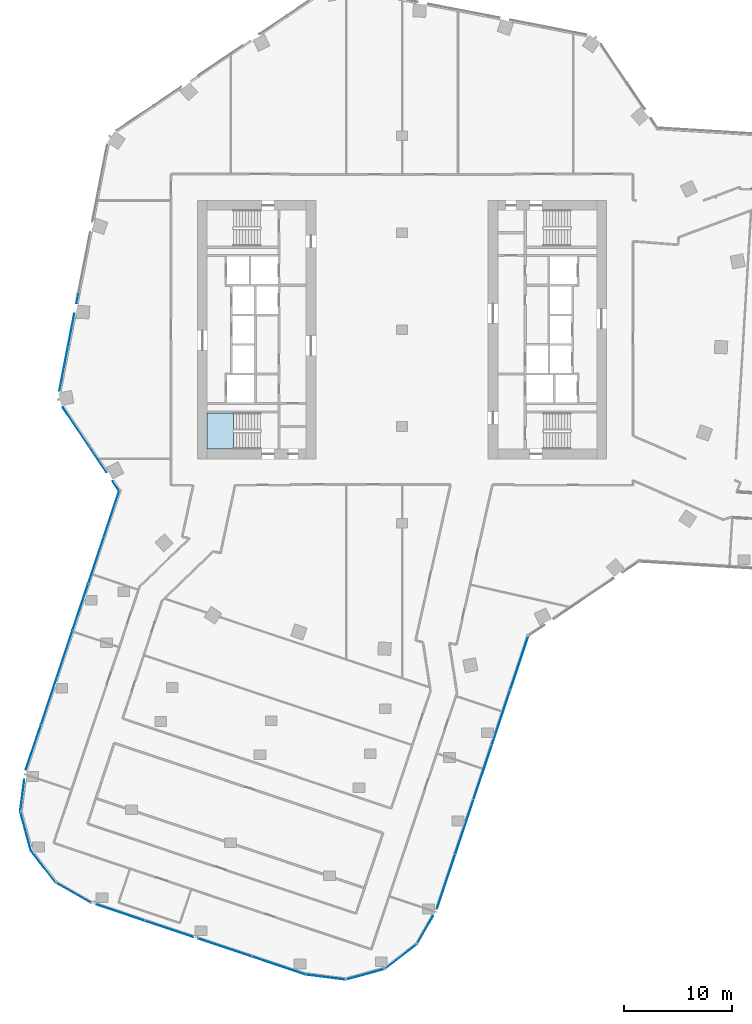
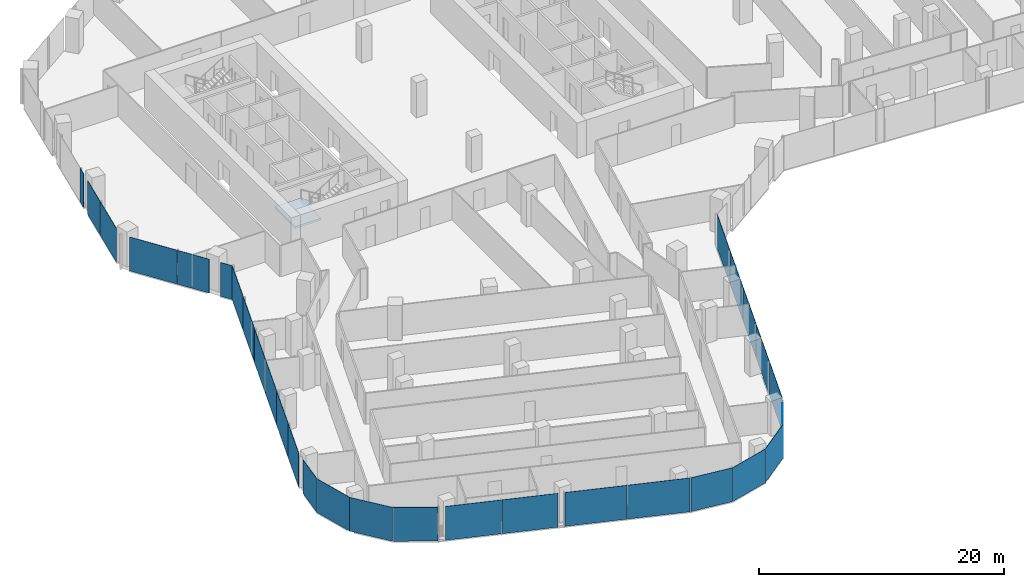
# One storey, part 18 of 32: 29 plates, 1 slab, 14 elements without a shape of their own.
"""IFC4 building model written with IfcOpenShell, lengths in metres."""

from ifc_helpers import new_model, si_unit, direction, frame, origin, origin_2d, place, context, subcontext, project, spatial, polyline, rectangle, outline, extrude, material, layer, layer_set, type_object, element, aggregate, save


model = new_model("IFC4")

# Units and contexts
model_context = context("Model", 3, precision=1e-05, world=origin(), true_north=direction((0.0, 1.0)))
body_context = subcontext(model_context, "Body", "Model", "MODEL_VIEW")
ifc_project = project(units=[si_unit("LENGTHUNIT", "METRE"), si_unit("AREAUNIT", "SQUARE_METRE"), si_unit("VOLUMEUNIT", "CUBIC_METRE"), si_unit("PLANEANGLEUNIT", "RADIAN"), si_unit("MASSUNIT", "GRAM", prefix="KILO")], contexts=[model_context])

# Site, building, storey
site_placement = place(None, origin())
site = spatial("IfcSite", under=ifc_project, at=site_placement, CompositionType="ELEMENT")
building_placement = place(site_placement, origin())
building = spatial("IfcBuilding", under=site, at=building_placement, Name="Orlundy Tower", CompositionType="ELEMENT")
storey_placement = place(building_placement, frame((0.0, 0.0, 149.10009765625)))
storey = spatial("IfcBuildingStorey", under=building, at=storey_placement, Name="L38", CompositionType="ELEMENT", Elevation=149.10009765625)

# Curtain wall, plates
ifc_material_1 = material(Name="Aluminium bronze anodised", Category="aluminium")
curtain_wall_type = type_object("IfcCurtainWallType", Name="CW1 wall", PredefinedType="NOTDEFINED", material=ifc_material_1)
curtain_wall_1_placement = place(storey_placement, origin())
curtain_wall_1 = element("IfcCurtainWall", 1, at=curtain_wall_1_placement, inside=storey, type_object=curtain_wall_type, Name="CW1 run 02", PredefinedType="NOTDEFINED")
ifc_material_2 = material(Name="Tinted glass", Category="glass")
ifc_layer_1 = layer(ifc_material_2, 0.031982421875)
ifc_layer_set_1 = layer_set([ifc_layer_1], Name="CW1 glass panel 32")
plate_type = type_object("IfcPlateType", Name="CW1 glass panel 32", PredefinedType="CURTAIN_PANEL", material=ifc_layer_set_1)
plate_1_placement = place(storey_placement, frame((10.90087890625, -30.968505859375, -0.280029296875), z_axis=(0.0, 0.0, 1.0), x_axis=(-0.317314020344, -0.948320522025, 0.0)))
plate_1 = element("IfcPlate", 2, at=plate_1_placement, type_object=plate_type, Name="CW1 panel", PredefinedType="CURTAIN_PANEL", context=body_context, shape_type="SweptSolid", body=[
    extrude(rectangle(XDim=5.276123046875, YDim=0.031982421875, at=origin_2d()), origin(), (0.0, 0.0, 1.0), 3.3798828125),
])
plate_2_placement = place(storey_placement, frame((9.205810546875, -36.033935546875, -0.280029296875), z_axis=(0.0, 0.0, 1.0), x_axis=(-0.317314020344, -0.948320522025, 0.0)))
plate_2 = element("IfcPlate", 3, at=plate_2_placement, type_object=plate_type, Name="CW1 panel", PredefinedType="CURTAIN_PANEL", context=body_context, shape_type="SweptSolid", body=[
    extrude(rectangle(XDim=5.306884765625, YDim=0.031982421875, at=origin_2d()), origin(), (0.0, 0.0, 1.0), 3.3798828125),
])
plate_3_placement = place(storey_placement, frame((7.506103515625, -41.114013671875, -0.280029296875), z_axis=(0.0, 0.0, 1.0), x_axis=(-0.317314020344, -0.948320522025, 0.0)))
plate_3 = element("IfcPlate", 4, at=plate_3_placement, type_object=plate_type, Name="CW1 panel", PredefinedType="CURTAIN_PANEL", context=body_context, shape_type="SweptSolid", body=[
    extrude(rectangle(XDim=5.306884765625, YDim=0.031982421875, at=origin_2d()), origin(), (0.0, 0.0, 1.0), 3.3798828125),
])
plate_4_placement = place(storey_placement, frame((5.80615234375, -46.194091796875, -0.280029296875), z_axis=(0.0, 0.0, 1.0), x_axis=(-0.317314020344, -0.948320522025, 0.0)))
plate_4 = element("IfcPlate", 5, at=plate_4_placement, type_object=plate_type, Name="CW1 panel", PredefinedType="CURTAIN_PANEL", context=body_context, shape_type="SweptSolid", body=[
    extrude(rectangle(XDim=5.306884765625, YDim=0.031982421875, at=origin_2d()), origin(), (0.0, 0.0, 1.0), 3.3798828125),
])
plate_5_placement = place(storey_placement, frame((4.10400390625, -51.28173828125, -0.280029296875), z_axis=(0.0, 0.0, 1.0), x_axis=(-0.317314020344, -0.948320522025, 0.0)))
plate_5 = element("IfcPlate", 6, at=plate_5_placement, type_object=plate_type, Name="CW1 panel", PredefinedType="CURTAIN_PANEL", context=body_context, shape_type="SweptSolid", body=[
    extrude(rectangle(XDim=5.32275390625, YDim=0.031982421875, at=origin_2d()), origin(), (0.0, 0.0, 1.0), 3.3798828125),
])
aggregate(curtain_wall_1, [plate_1, plate_2, plate_3, plate_4, plate_5])

# Curtain wall, plate
curtain_wall_2_placement = place(storey_placement, origin())
curtain_wall_2 = element("IfcCurtainWall", 7, at=curtain_wall_2_placement, inside=storey, type_object=curtain_wall_type, Name="CW1 run 03", PredefinedType="NOTDEFINED")
plate_6_placement = place(storey_placement, frame((2.135986328125, -55.78125, -0.280029296875), z_axis=(0.0, 0.0, 1.0), x_axis=(-0.496167993802, -0.868226538368, 0.0)))
plate_6 = element("IfcPlate", 8, at=plate_6_placement, type_object=plate_type, Name="CW1 panel", PredefinedType="CURTAIN_PANEL", context=body_context, shape_type="SweptSolid", body=[
    extrude(rectangle(XDim=3.013916015625, YDim=0.031982421875, at=origin_2d()), origin(), (0.0, 0.0, 1.0), 3.3798828125),
])
aggregate(curtain_wall_2, [plate_6])

curtain_wall_3_placement = place(storey_placement, origin())
curtain_wall_3 = element("IfcCurtainWall", 9, at=curtain_wall_3_placement, inside=storey, type_object=curtain_wall_type, Name="CW1 run 04", PredefinedType="NOTDEFINED")
plate_7_placement = place(storey_placement, frame((-0.10302734375, -58.24462890625, -0.280029296875), z_axis=(0.0, 0.0, 1.0), x_axis=(-0.790614183516, -0.61231463548, 0.0)))
plate_7 = element("IfcPlate", 10, at=plate_7_placement, type_object=plate_type, Name="CW1 panel", PredefinedType="CURTAIN_PANEL", context=body_context, shape_type="SweptSolid", body=[
    extrude(rectangle(XDim=3.7724609375, YDim=0.031982421875, at=origin_2d()), origin(), (0.0, 0.0, 1.0), 3.3798828125),
])
aggregate(curtain_wall_3, [plate_7])

curtain_wall_4_placement = place(storey_placement, origin())
curtain_wall_4 = element("IfcCurtainWall", 11, at=curtain_wall_4_placement, inside=storey, type_object=curtain_wall_type, Name="CW1 run 05", PredefinedType="NOTDEFINED")
plate_8_placement = place(storey_placement, frame((-3.413818359375, -59.895751953125, -0.280029296875), z_axis=(0.0, 0.0, 1.0), x_axis=(-0.964782496835, -0.263048919026, 0.0)))
plate_8 = element("IfcPlate", 12, at=plate_8_placement, type_object=plate_type, Name="CW1 panel", PredefinedType="CURTAIN_PANEL", context=body_context, shape_type="SweptSolid", body=[
    extrude(rectangle(XDim=3.771728515625, YDim=0.031982421875, at=origin_2d()), origin(), (0.0, 0.0, 1.0), 3.3798828125),
])
aggregate(curtain_wall_4, [plate_8])

curtain_wall_5_placement = place(storey_placement, origin())
curtain_wall_5 = element("IfcCurtainWall", 13, at=curtain_wall_5_placement, inside=storey, type_object=curtain_wall_type, Name="CW1 run 06", PredefinedType="NOTDEFINED")
plate_9_placement = place(storey_placement, frame((-7.08349609375, -60.15625, -0.280029296875), z_axis=(0.0, 0.0, 1.0), x_axis=(-0.99199729737, 0.126259106648, 0.0)))
plate_9 = element("IfcPlate", 14, at=plate_9_placement, type_object=plate_type, Name="CW1 panel", PredefinedType="CURTAIN_PANEL", context=body_context, shape_type="SweptSolid", body=[
    extrude(rectangle(XDim=3.730224609375, YDim=0.031982421875, at=origin_2d()), origin(), (0.0, 0.0, 1.0), 3.3798828125),
])
aggregate(curtain_wall_5, [plate_9])

# Curtain wall, plates
curtain_wall_6_placement = place(storey_placement, origin())
curtain_wall_6 = element("IfcCurtainWall", 15, at=curtain_wall_6_placement, inside=storey, type_object=curtain_wall_type, Name="CW1 run 07", PredefinedType="NOTDEFINED")
plate_10_placement = place(storey_placement, frame((-11.455810546875, -59.082275390625, -0.280029296875), z_axis=(0.0, 0.0, 1.0), x_axis=(-0.948330329219, 0.317284709186, 0.0)))
plate_10 = element("IfcPlate", 16, at=plate_10_placement, type_object=plate_type, Name="CW1 panel", PredefinedType="CURTAIN_PANEL", context=body_context, shape_type="SweptSolid", body=[
    extrude(rectangle(XDim=5.216064453125, YDim=0.031982421875, at=origin_2d()), origin(), (0.0, 0.0, 1.0), 3.3798828125),
])
plate_11_placement = place(storey_placement, frame((-16.442138671875, -57.413818359375, -0.280029296875), z_axis=(0.0, 0.0, 1.0), x_axis=(-0.948330329219, 0.317284709186, 0.0)))
plate_11 = element("IfcPlate", 17, at=plate_11_placement, type_object=plate_type, Name="CW1 panel", PredefinedType="CURTAIN_PANEL", context=body_context, shape_type="SweptSolid", body=[
    extrude(rectangle(XDim=5.199951171875, YDim=0.031982421875, at=origin_2d()), origin(), (0.0, 0.0, 1.0), 3.3798828125),
])
plate_12_placement = place(storey_placement, frame((-21.662841796875, -55.667236328125, -0.280029296875), z_axis=(0.0, 0.0, 1.0), x_axis=(-0.948330329219, 0.317284709186, 0.0)))
plate_12 = element("IfcPlate", 18, at=plate_12_placement, type_object=plate_type, Name="CW1 panel", PredefinedType="CURTAIN_PANEL", context=body_context, shape_type="SweptSolid", body=[
    extrude(rectangle(XDim=4.68994140625, YDim=0.031982421875, at=origin_2d()), origin(), (0.0, 0.0, 1.0), 3.3798828125),
])
plate_13_placement = place(storey_placement, frame((-26.144775390625, -54.167724609375, -0.280029296875), z_axis=(0.0, 0.0, 1.0), x_axis=(-0.948330329219, 0.317284709186, 0.0)))
plate_13 = element("IfcPlate", 19, at=plate_13_placement, type_object=plate_type, Name="CW1 panel", PredefinedType="CURTAIN_PANEL", context=body_context, shape_type="SweptSolid", body=[
    extrude(rectangle(XDim=4.66259765625, YDim=0.031982421875, at=origin_2d()), origin(), (0.0, 0.0, 1.0), 3.3798828125),
])
aggregate(curtain_wall_6, [plate_10, plate_11, plate_12, plate_13])

# Curtain wall, plate
curtain_wall_7_placement = place(storey_placement, origin())
curtain_wall_7 = element("IfcCurtainWall", 20, at=curtain_wall_7_placement, inside=storey, type_object=curtain_wall_type, Name="CW1 run 08", PredefinedType="NOTDEFINED")
plate_14_placement = place(storey_placement, frame((-30.54541015625, -52.30615234375, -0.280029296875), z_axis=(0.0, 0.0, 1.0), x_axis=(-0.868110302636, 0.496371335249, 0.0)))
plate_14 = element("IfcPlate", 21, at=plate_14_placement, type_object=plate_type, Name="CW1 panel", PredefinedType="CURTAIN_PANEL", context=body_context, shape_type="SweptSolid", body=[
    extrude(rectangle(XDim=3.73046875, YDim=0.031982421875, at=origin_2d()), origin(), (0.0, 0.0, 1.0), 3.3798828125),
])
aggregate(curtain_wall_7, [plate_14])

curtain_wall_8_placement = place(storey_placement, origin())
curtain_wall_8 = element("IfcCurtainWall", 22, at=curtain_wall_8_placement, inside=storey, type_object=curtain_wall_type, Name="CW1 run 09", PredefinedType="NOTDEFINED")
plate_15_placement = place(storey_placement, frame((-33.319580078125, -49.888916015625, -0.280029296875), z_axis=(0.0, 0.0, 1.0), x_axis=(-0.61231463548, 0.790614183516, 0.0)))
plate_15 = element("IfcPlate", 23, at=plate_15_placement, type_object=plate_type, Name="CW1 panel", PredefinedType="CURTAIN_PANEL", context=body_context, shape_type="SweptSolid", body=[
    extrude(rectangle(XDim=3.7724609375, YDim=0.031982421875, at=origin_2d()), origin(), (0.0, 0.0, 1.0), 3.3798828125),
])
aggregate(curtain_wall_8, [plate_15])

curtain_wall_9_placement = place(storey_placement, origin())
curtain_wall_9 = element("IfcCurtainWall", 24, at=curtain_wall_9_placement, inside=storey, type_object=curtain_wall_type, Name="CW1 run 010", PredefinedType="NOTDEFINED")
plate_16_placement = place(storey_placement, frame((-34.97021484375, -46.578125, -0.280029296875), z_axis=(0.0, 0.0, 1.0), x_axis=(-0.262797766834, 0.964850938616, 0.0)))
plate_16 = element("IfcPlate", 25, at=plate_16_placement, type_object=plate_type, Name="CW1 panel", PredefinedType="CURTAIN_PANEL", context=body_context, shape_type="SweptSolid", body=[
    extrude(rectangle(XDim=3.771484375, YDim=0.031982421875, at=origin_2d()), origin(), (0.0, 0.0, 1.0), 3.3798828125),
])
aggregate(curtain_wall_9, [plate_16])

curtain_wall_10_placement = place(storey_placement, origin())
curtain_wall_10 = element("IfcCurtainWall", 26, at=curtain_wall_10_placement, inside=storey, type_object=curtain_wall_type, Name="CW1 run 011", PredefinedType="NOTDEFINED")
plate_17_placement = place(storey_placement, frame((-35.27978515625, -43.294921875, -0.280029296875), z_axis=(0.0, 0.0, 1.0), x_axis=(0.125993609416, 0.992031053136, 0.0)))
plate_17 = element("IfcPlate", 27, at=plate_17_placement, type_object=plate_type, Name="CW1 panel", PredefinedType="CURTAIN_PANEL", context=body_context, shape_type="SweptSolid", body=[
    extrude(rectangle(XDim=2.950927734375, YDim=0.031982421875, at=origin_2d()), origin(), (0.0, 0.0, 1.0), 3.3798828125),
])
aggregate(curtain_wall_10, [plate_17])

# Curtain wall, plates
curtain_wall_11_placement = place(storey_placement, origin())
curtain_wall_11 = element("IfcCurtainWall", 28, at=curtain_wall_11_placement, inside=storey, type_object=curtain_wall_type, Name="CW1 run 012", PredefinedType="NOTDEFINED")
plate_18_placement = place(storey_placement, frame((-34.23779296875, -38.777587890625, -0.280029296875), z_axis=(0.0, 0.0, 1.0), x_axis=(0.317295386712, 0.948326756752, 0.0)))
plate_18 = element("IfcPlate", 29, at=plate_18_placement, type_object=plate_type, Name="CW1 panel", PredefinedType="CURTAIN_PANEL", context=body_context, shape_type="SweptSolid", body=[
    extrude(rectangle(XDim=4.402587890625, YDim=0.031982421875, at=origin_2d()), origin(), (0.0, 0.0, 1.0), 3.3798828125),
])
plate_19_placement = place(storey_placement, frame((-32.803466796875, -34.490478515625, -0.280029296875), z_axis=(0.0, 0.0, 1.0), x_axis=(0.317295386712, 0.948326756752, 0.0)))
plate_19 = element("IfcPlate", 30, at=plate_19_placement, type_object=plate_type, Name="CW1 panel", PredefinedType="CURTAIN_PANEL", context=body_context, shape_type="SweptSolid", body=[
    extrude(rectangle(XDim=4.538818359375, YDim=0.031982421875, at=origin_2d()), origin(), (0.0, 0.0, 1.0), 3.3798828125),
])
plate_20_placement = place(storey_placement, frame((-31.347412109375, -30.138916015625, -0.280029296875), z_axis=(0.0, 0.0, 1.0), x_axis=(0.317295386712, 0.948326756752, 0.0)))
plate_20 = element("IfcPlate", 31, at=plate_20_placement, type_object=plate_type, Name="CW1 panel", PredefinedType="CURTAIN_PANEL", context=body_context, shape_type="SweptSolid", body=[
    extrude(rectangle(XDim=4.538818359375, YDim=0.031982421875, at=origin_2d()), origin(), (0.0, 0.0, 1.0), 3.3798828125),
])
plate_21_placement = place(storey_placement, frame((-29.8916015625, -25.787109375, -0.280029296875), z_axis=(0.0, 0.0, 1.0), x_axis=(0.317295386712, 0.948326756752, 0.0)))
plate_21 = element("IfcPlate", 32, at=plate_21_placement, type_object=plate_type, Name="CW1 panel", PredefinedType="CURTAIN_PANEL", context=body_context, shape_type="SweptSolid", body=[
    extrude(rectangle(XDim=4.538818359375, YDim=0.031982421875, at=origin_2d()), origin(), (0.0, 0.0, 1.0), 3.3798828125),
])
plate_22_placement = place(storey_placement, frame((-28.435546875, -21.435546875, -0.280029296875), z_axis=(0.0, 0.0, 1.0), x_axis=(0.317295386712, 0.948326756752, 0.0)))
plate_22 = element("IfcPlate", 33, at=plate_22_placement, type_object=plate_type, Name="CW1 panel", PredefinedType="CURTAIN_PANEL", context=body_context, shape_type="SweptSolid", body=[
    extrude(rectangle(XDim=4.538818359375, YDim=0.031982421875, at=origin_2d()), origin(), (0.0, 0.0, 1.0), 3.3798828125),
])
plate_23_placement = place(storey_placement, frame((-26.98828125, -17.1103515625, -0.280029296875), z_axis=(0.0, 0.0, 1.0), x_axis=(0.317295386712, 0.948326756752, 0.0)))
plate_23 = element("IfcPlate", 34, at=plate_23_placement, type_object=plate_type, Name="CW1 panel", PredefinedType="CURTAIN_PANEL", context=body_context, shape_type="SweptSolid", body=[
    extrude(rectangle(XDim=4.48291015625, YDim=0.031982421875, at=origin_2d()), origin(), (0.0, 0.0, 1.0), 3.3798828125),
])
aggregate(curtain_wall_11, [plate_18, plate_19, plate_20, plate_21, plate_22, plate_23])

curtain_wall_12_placement = place(storey_placement, origin())
curtain_wall_12 = element("IfcCurtainWall", 35, at=curtain_wall_12_placement, inside=storey, type_object=curtain_wall_type, Name="CW1 run 013", PredefinedType="NOTDEFINED")
plate_24_placement = place(storey_placement, frame((-26.580810546875, -14.534423828125, -0.280029296875), z_axis=(0.0, 0.0, 1.0), x_axis=(-0.559201009656, 0.829032104807, 0.0)))
plate_24 = element("IfcPlate", 36, at=plate_24_placement, type_object=plate_type, Name="CW1 panel", PredefinedType="CURTAIN_PANEL", context=body_context, shape_type="SweptSolid", body=[
    extrude(rectangle(XDim=1.086181640625, YDim=0.031982421875, at=origin_2d()), origin(), (0.0, 0.0, 1.0), 3.3798828125),
])
plate_25_placement = place(storey_placement, frame((-28.267333984375, -12.0341796875, -0.280029296875), z_axis=(0.0, 0.0, 1.0), x_axis=(-0.559201009656, 0.829032104807, 0.0)))
plate_25 = element("IfcPlate", 37, at=plate_25_placement, type_object=plate_type, Name="CW1 panel", PredefinedType="CURTAIN_PANEL", context=body_context, shape_type="SweptSolid", body=[
    extrude(rectangle(XDim=2.906494140625, YDim=0.031982421875, at=origin_2d()), origin(), (0.0, 0.0, 1.0), 3.3798828125),
])
plate_26_placement = place(storey_placement, frame((-30.308837890625, -9.007568359375, -0.280029296875), z_axis=(0.0, 0.0, 1.0), x_axis=(-0.559201009656, 0.829032104807, 0.0)))
plate_26 = element("IfcPlate", 38, at=plate_26_placement, type_object=plate_type, Name="CW1 panel", PredefinedType="CURTAIN_PANEL", context=body_context, shape_type="SweptSolid", body=[
    extrude(rectangle(XDim=4.29541015625, YDim=0.031982421875, at=origin_2d()), origin(), (0.0, 0.0, 1.0), 3.3798828125),
])
aggregate(curtain_wall_12, [plate_24, plate_25, plate_26])

curtain_wall_13_placement = place(storey_placement, origin())
curtain_wall_13 = element("IfcCurtainWall", 39, at=curtain_wall_13_placement, inside=storey, type_object=curtain_wall_type, Name="CW1 run 014", PredefinedType="NOTDEFINED")
plate_27_placement = place(storey_placement, frame((-31.43310546875, -3.62353515625, -0.280029296875), z_axis=(0.0, 0.0, 1.0), x_axis=(0.19080503976, 0.981627952333, 0.0)))
plate_27 = element("IfcPlate", 40, at=plate_27_placement, type_object=plate_type, Name="CW1 panel", PredefinedType="CURTAIN_PANEL", context=body_context, shape_type="SweptSolid", body=[
    extrude(rectangle(XDim=4.147216796875, YDim=0.031982421875, at=origin_2d()), origin(), (0.0, 0.0, 1.0), 3.3798828125),
])
plate_28_placement = place(storey_placement, frame((-30.73583984375, -0.037109375, -0.280029296875), z_axis=(0.0, 0.0, 1.0), x_axis=(0.19080503976, 0.981627952333, 0.0)))
plate_28 = element("IfcPlate", 41, at=plate_28_placement, type_object=plate_type, Name="CW1 panel", PredefinedType="CURTAIN_PANEL", context=body_context, shape_type="SweptSolid", body=[
    extrude(rectangle(XDim=3.059814453125, YDim=0.031982421875, at=origin_2d()), origin(), (0.0, 0.0, 1.0), 3.3798828125),
])
plate_29_placement = place(storey_placement, frame((-30.169677734375, 2.87548828125, -0.280029296875), z_axis=(0.0, 0.0, 1.0), x_axis=(0.19080503976, 0.981627952333, 0.0)))
plate_29 = element("IfcPlate", 42, at=plate_29_placement, type_object=plate_type, Name="CW1 panel", PredefinedType="CURTAIN_PANEL", context=body_context, shape_type="SweptSolid", body=[
    extrude(rectangle(XDim=0.8466796875, YDim=0.031982421875, at=origin_2d()), origin(), (0.0, 0.0, 1.0), 3.3798828125),
])
aggregate(curtain_wall_13, [plate_27, plate_28, plate_29])

# Stair, slab
ifc_material_3 = material(Name="Concrete C50/60", Category="concrete")
stair_type = type_object("IfcStairType", Name="Exit Stair 20 risers", PredefinedType="HALF_TURN_STAIR", material=ifc_material_3)
stair_placement = place(storey_placement, origin())
stair = element("IfcStair", 43, at=stair_placement, inside=storey, type_object=stair_type, Name="L38 Exit Stair ST-W2", PredefinedType="HALF_TURN_STAIR")
ifc_material_4 = material(Name="Concrete C50/60", Category="concrete")
ifc_layer_2 = layer(ifc_material_4, 0.199951171875)
ifc_layer_set_2 = layer_set([ifc_layer_2], Name="Exit Stair Landing")
slab_type = type_object("IfcSlabType", Name="Exit Stair Landing", PredefinedType="LANDING", material=ifc_layer_set_2)
slab_placement = place(storey_placement, frame((0.0, 0.0, 1.5498046875)))
slab = element("IfcSlab", 44, at=slab_placement, type_object=slab_type, Name="ST-W2 landing 1", PredefinedType="LANDING", context=body_context, shape_type="SweptSolid", body=[
    extrude(outline(polyline([(-15.659912109375, -7.75), (-18.10009765625, -7.75), (-18.10009765625, -11.10009765625), (-15.659912109375, -11.10009765625), (-15.659912109375, -7.75)])), origin(), (0.0, 0.0, 1.0), 0.2001953125),
])
aggregate(stair, [slab])

save(model, "model.ifc")
